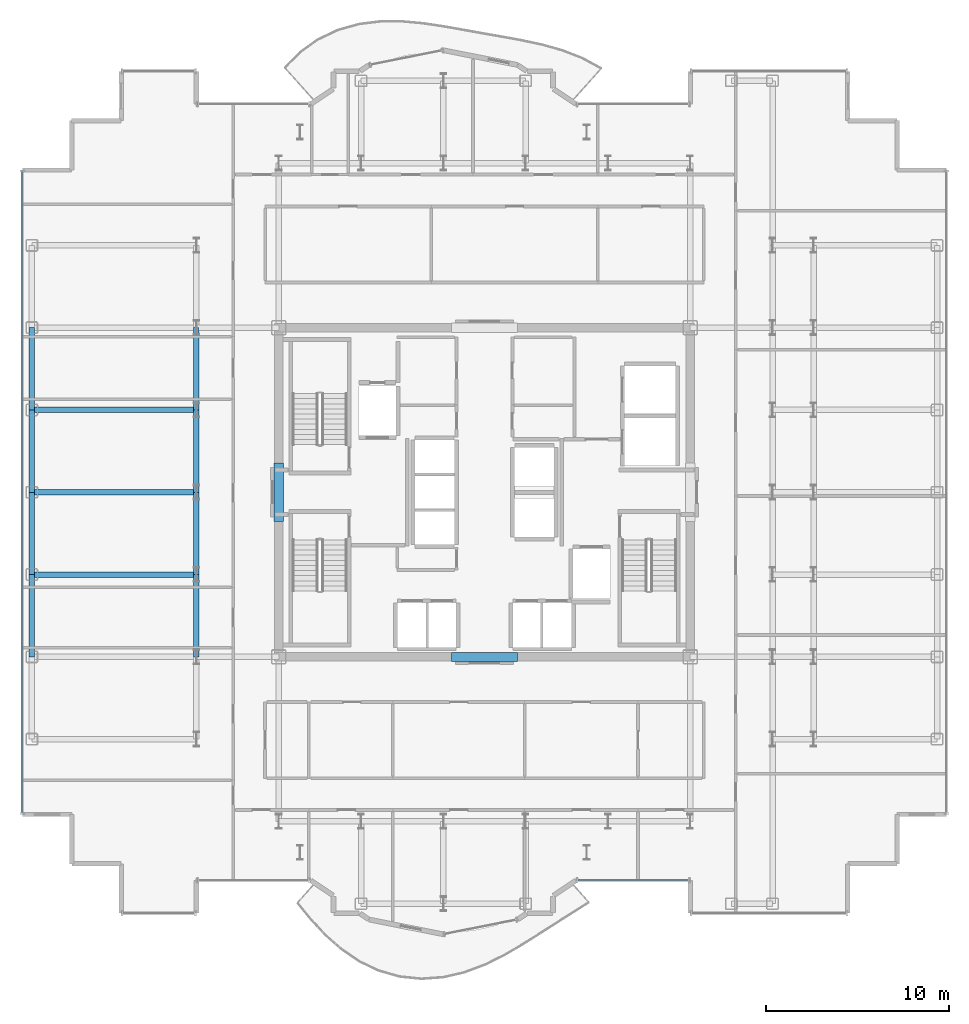
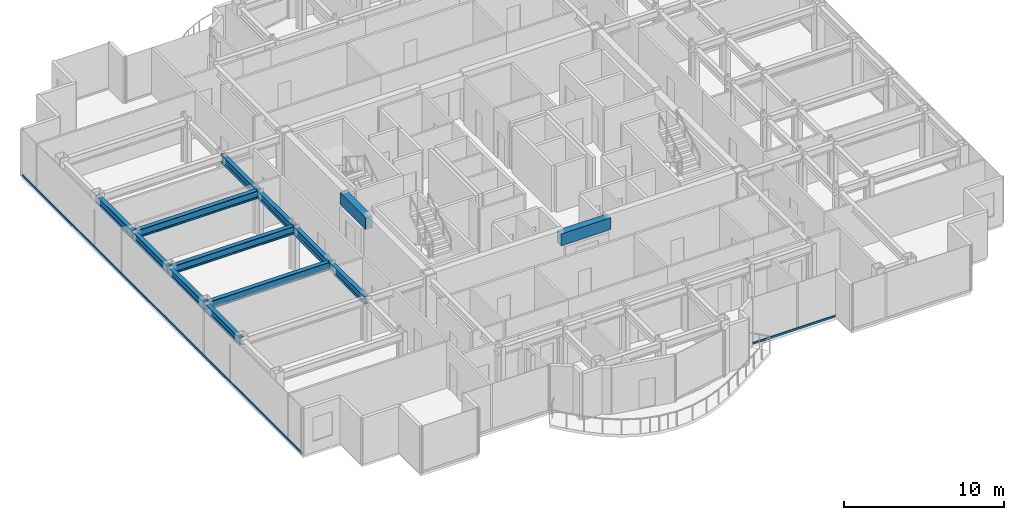
# One storey, part 4 of 21: 13 beams, 2 members, 2 elements without a shape of their own.
"""IFC4 building model written with IfcOpenShell, lengths in metres."""

from ifc_helpers import new_model, si_unit, direction, frame, origin, origin_2d, place, context, subcontext, project, spatial, rectangle, hollow_rectangle, i_section, extrude, source, transform, mapped, material, layer, layer_set, material_profile, profile_set, type_object, element, aggregate, save


model = new_model("IFC4")

# Units and contexts
model_context = context("Model", 3, precision=1e-05, world=origin(), true_north=direction((0.0, 1.0)))
body_context = subcontext(model_context, "Body", "Model", "MODEL_VIEW")
ifc_project = project(units=[si_unit("LENGTHUNIT", "METRE"), si_unit("AREAUNIT", "SQUARE_METRE"), si_unit("VOLUMEUNIT", "CUBIC_METRE"), si_unit("PLANEANGLEUNIT", "RADIAN"), si_unit("MASSUNIT", "GRAM", prefix="KILO")], contexts=[model_context])

# Site, building, storey
site_placement = place(None, origin())
site = spatial("IfcSite", under=ifc_project, at=site_placement, CompositionType="ELEMENT")
building_placement = place(site_placement, origin())
building = spatial("IfcBuilding", under=site, at=building_placement, Name="Nefas-Gora Pilgrimage Tower", CompositionType="ELEMENT")
storey_placement = place(building_placement, frame((0.0, 0.0, 233.199951171875)))
storey = spatial("IfcBuildingStorey", under=building, at=storey_placement, Name="L58", CompositionType="ELEMENT", Elevation=233.199951171875)

# Beams
ifc_material_1 = material(Name="Concrete C50/60", Category="concrete")
ifc_material_profile_1 = material_profile(ifc_material_1, rectangle(XDim=0.5, YDim=0.89990234375, at=origin_2d()), Name="RC 500x900")
ifc_profile_set_1 = profile_set([ifc_material_profile_1], Name="Concrete C50/60")
beam_type_1 = type_object("IfcBeamType", Name="BM-LIN-RC900", PredefinedType="LINTEL", material=ifc_profile_set_1)
shared_shape_1 = source(origin(), body_context, "Body", "SweptSolid", [
    extrude(rectangle(XDim=0.5, YDim=0.89990234375, at=origin_2d()), origin(), (0.0, 0.0, 1.0), 3.60009765625),
])
beam_1_placement = place(storey_placement, frame((-1.800048828125, -9.0, 3.10009765625), z_axis=(1.0, 0.0, 0.0), x_axis=(0.0, 1.0, 0.0)))
element("IfcBeam", 1, at=beam_1_placement, inside=storey, type_object=beam_type_1, Name="L58 Core Coupling Lintel Beam S", PredefinedType="LINTEL", context=body_context, shape_type="MappedRepresentation", body=[
    mapped(shared_shape_1, transform((0.0, 0.0, 0.0), x_axis=(1.0, 0.0, 0.0), y_axis=(0.0, 1.0, 0.0), z_axis=(0.0, 0.0, 1.0), scale=1.0)),
])
shared_shape_2 = source(origin(), body_context, "Body", "SweptSolid", [
    extrude(rectangle(XDim=0.5, YDim=0.89990234375, at=origin_2d()), origin(), (0.0, 0.0, 1.0), 3.2001953125),
])
beam_2_placement = place(storey_placement, frame((-11.25, -1.60009765625, 3.10009765625), z_axis=(0.0, 1.0, 0.0), x_axis=(-1.0, 0.0, 0.0)))
element("IfcBeam", 2, at=beam_2_placement, inside=storey, type_object=beam_type_1, Name="L58 Core Coupling Lintel Beam W", PredefinedType="LINTEL", context=body_context, shape_type="MappedRepresentation", body=[
    mapped(shared_shape_2, transform((0.0, 0.0, 0.0), x_axis=(1.0, 0.0, 0.0), y_axis=(0.0, 1.0, 0.0), z_axis=(0.0, 0.0, 1.0), scale=1.0)),
])
ifc_material_2 = material(Name="Steel S355", Category="steel")
ifc_material_profile_2 = material_profile(ifc_material_2, i_section(OverallWidth=0.300048828125, OverallDepth=0.60009765625, WebThickness=0.015380859375, FlangeThickness=0.030029296875, FilletRadius=0.027099609375, at=origin_2d()), Name="HEB 600")
ifc_profile_set_2 = profile_set([ifc_material_profile_2], Name="Steel S355")
beam_type_2 = type_object("IfcBeamType", Name="BM-SPN-HEB450", PredefinedType="SPANDREL", material=ifc_profile_set_2)
shared_shape_3 = source(origin(), body_context, "Body", "SweptSolid", [
    extrude(i_section(OverallWidth=0.300048828125, OverallDepth=0.60009765625, WebThickness=0.015380859375, FlangeThickness=0.030029296875, FilletRadius=0.027099609375, at=origin_2d()), origin(), (0.0, 0.0, 1.0), 4.5),
])
for number, where, z_axis, x_axis, name in (
    (3, (-24.75, -9.0, 3.25), (0.0, 1.0, 0.0), (-1.0, 0.0, 0.0), "L58 SP-03 beam"),
    (4, (-24.75, -4.5, 3.25), (0.0, 1.0, 0.0), (-1.0, 0.0, 0.0), "L58 SP-03 beam"),
    (5, (-24.75, 0.0, 3.25), (0.0, 1.0, 0.0), (-1.0, 0.0, 0.0), "L58 SP-03 beam"),
    (6, (-24.75, 4.5, 3.25), (0.0, 1.0, 0.0), (-1.0, 0.0, 0.0), "L58 SP-03 beam"),
):
    element("IfcBeam", number, at=place(storey_placement, frame(where, z_axis=z_axis, x_axis=x_axis)), inside=storey, type_object=beam_type_2, Name=name, PredefinedType="SPANDREL", context=body_context, shape_type="MappedRepresentation", body=[
        mapped(shared_shape_3, transform((0.0, 0.0, 0.0), x_axis=(1.0, 0.0, 0.0), y_axis=(0.0, 1.0, 0.0), z_axis=(0.0, 0.0, 1.0), scale=1.0)),
    ])
ifc_material_profile_3 = material_profile(ifc_material_2, i_section(OverallWidth=0.300048828125, OverallDepth=0.60009765625, WebThickness=0.015380859375, FlangeThickness=0.030029296875, FilletRadius=0.027099609375, at=origin_2d()), Name="HEB 600")
ifc_profile_set_3 = profile_set([ifc_material_profile_3], Name="Steel S355")
beam_type_3 = type_object("IfcBeamType", Name="BM-GIR-HEB600", PredefinedType="BEAM", material=ifc_profile_set_3)
shared_shape_4 = source(origin(), body_context, "Body", "SweptSolid", [
    extrude(i_section(OverallWidth=0.300048828125, OverallDepth=0.60009765625, WebThickness=0.015380859375, FlangeThickness=0.030029296875, FilletRadius=0.027099609375, at=origin_2d()), origin(), (0.0, 0.0, 1.0), 9.0),
])
for number, where, z_axis, x_axis, name in (
    (7, (-24.75, -4.5, 3.25), (1.0, 0.0, 0.0), (0.0, 1.0, 0.0), "L58 G-04 beam"),
    (8, (-24.75, 0.0, 3.25), (1.0, 0.0, 0.0), (0.0, 1.0, 0.0), "L58 G-04 beam"),
    (9, (-24.75, 4.5, 3.25), (1.0, 0.0, 0.0), (0.0, 1.0, 0.0), "L58 G-04 beam"),
):
    element("IfcBeam", number, at=place(storey_placement, frame(where, z_axis=z_axis, x_axis=x_axis)), inside=storey, type_object=beam_type_3, Name=name, PredefinedType="BEAM", context=body_context, shape_type="MappedRepresentation", body=[
        mapped(shared_shape_4, transform((0.0, 0.0, 0.0), x_axis=(1.0, 0.0, 0.0), y_axis=(0.0, 1.0, 0.0), z_axis=(0.0, 0.0, 1.0), scale=1.0)),
    ])
shared_shape_5 = source(origin(), body_context, "Body", "SweptSolid", [
    extrude(i_section(OverallWidth=0.300048828125, OverallDepth=0.60009765625, WebThickness=0.015380859375, FlangeThickness=0.030029296875, FilletRadius=0.027099609375, at=origin_2d()), origin(), (0.0, 0.0, 1.0), 4.5),
])
for number, where, z_axis, x_axis, name in (
    (10, (-15.75, -9.0, 3.25), (0.0, 1.0, 0.0), (-1.0, 0.0, 0.0), "L58 G-04 beam"),
    (11, (-15.75, -4.5, 3.25), (0.0, 1.0, 0.0), (-1.0, 0.0, 0.0), "L58 G-04 beam"),
    (12, (-15.75, 0.0, 3.25), (0.0, 1.0, 0.0), (-1.0, 0.0, 0.0), "L58 G-04 beam"),
    (13, (-15.75, 4.5, 3.25), (0.0, 1.0, 0.0), (-1.0, 0.0, 0.0), "L58 G-04 beam"),
):
    element("IfcBeam", number, at=place(storey_placement, frame(where, z_axis=z_axis, x_axis=x_axis)), inside=storey, type_object=beam_type_3, Name=name, PredefinedType="BEAM", context=body_context, shape_type="MappedRepresentation", body=[
        mapped(shared_shape_5, transform((0.0, 0.0, 0.0), x_axis=(1.0, 0.0, 0.0), y_axis=(0.0, 1.0, 0.0), z_axis=(0.0, 0.0, 1.0), scale=1.0)),
    ])

# Curtain wall, member
ifc_material_3 = material(Name="Dark ceramic-fritted solar-control aluminium-glass curtain wall", Category="aluminium")
ifc_layer_1 = layer(ifc_material_3, 0.219970703125)
ifc_layer_set_1 = layer_set([ifc_layer_1], Name="Dark ceramic-fritted solar-control aluminium-glass curtain wall")
curtain_wall_type_1 = type_object("IfcCurtainWallType", Name="CW-SYS-5", PredefinedType="NOTDEFINED", material=ifc_layer_set_1)
curtain_wall_1_placement = place(storey_placement, origin())
curtain_wall_1 = element("IfcCurtainWall", 14, at=curtain_wall_1_placement, inside=storey, type_object=curtain_wall_type_1, Name="L58 Unitised Curtain Wall CW5", PredefinedType="NOTDEFINED")
ifc_material_4 = material(Name="Anodised architectural aluminium", Category="aluminium")
ifc_material_profile_4 = material_profile(ifc_material_4, hollow_rectangle(XDim=0.080078125, YDim=0.159912109375, WallThickness=0.00439453125, InnerFilletRadius=0.00439453125, OuterFilletRadius=0.009033203125, at=origin_2d()), Name="ALU TRANSOM 80x160")
ifc_profile_set_4 = profile_set([ifc_material_profile_4], Name="Anodised architectural aluminium")
member_type_1 = type_object("IfcMemberType", Name="CWM-TRN-5", PredefinedType="USERDEFINED", material=ifc_profile_set_4)
shared_shape_6 = source(origin(), body_context, "Body", "SweptSolid", [
    extrude(hollow_rectangle(XDim=0.080078125, YDim=0.159912109375, WallThickness=0.00439453125, InnerFilletRadius=0.00439453125, OuterFilletRadius=0.009033203125, at=origin_2d()), origin(), (0.0, 0.0, 1.0), 6.052001953125),
])
member_1_placement = place(storey_placement, frame((5.10791015625, -21.219970703125, 0.050048828125), z_axis=(1.0, 0.0, 0.0), x_axis=(0.0, 1.0, 0.0)))
member_1 = element("IfcMember", 15, at=member_1_placement, type_object=member_type_1, Name="CW5 Spandrel Transom", ObjectType="TRANSOM", PredefinedType="USERDEFINED", context=body_context, shape_type="MappedRepresentation", body=[
    mapped(shared_shape_6, transform((0.0, 0.0, 0.0), x_axis=(1.0, 0.0, 0.0), y_axis=(0.0, 1.0, 0.0), z_axis=(0.0, 0.0, 1.0), scale=1.0)),
])
aggregate(curtain_wall_1, [member_1])

ifc_layer_2 = layer(ifc_material_3, 0.219970703125)
ifc_layer_set_2 = layer_set([ifc_layer_2], Name="Dark ceramic-fritted solar-control aluminium-glass curtain wall")
curtain_wall_type_2 = type_object("IfcCurtainWallType", Name="CW-SYS-3", PredefinedType="NOTDEFINED", material=ifc_layer_set_2)
curtain_wall_2_placement = place(storey_placement, origin())
curtain_wall_2 = element("IfcCurtainWall", 16, at=curtain_wall_2_placement, inside=storey, type_object=curtain_wall_type_2, Name="L58 Unitised Curtain Wall CW3", PredefinedType="NOTDEFINED")
ifc_material_profile_5 = material_profile(ifc_material_4, hollow_rectangle(XDim=0.080078125, YDim=0.159912109375, WallThickness=0.00439453125, InnerFilletRadius=0.00439453125, OuterFilletRadius=0.009033203125, at=origin_2d()), Name="ALU TRANSOM 80x160")
ifc_profile_set_5 = profile_set([ifc_material_profile_5], Name="Anodised architectural aluminium")
member_type_2 = type_object("IfcMemberType", Name="CWM-TRN-3", PredefinedType="USERDEFINED", material=ifc_profile_set_5)
shared_shape_7 = source(origin(), body_context, "Body", "SweptSolid", [
    extrude(hollow_rectangle(XDim=0.080078125, YDim=0.159912109375, WallThickness=0.00439453125, InnerFilletRadius=0.00439453125, OuterFilletRadius=0.009033203125, at=origin_2d()), origin(), (0.0, 0.0, 1.0), 35.06005859375),
])
member_2_placement = place(storey_placement, frame((-25.27001953125, 17.530029296875, 0.050048828125), z_axis=(0.0, -1.0, 0.0), x_axis=(1.0, 0.0, 0.0)))
member_2 = element("IfcMember", 17, at=member_2_placement, type_object=member_type_2, Name="CW3 Spandrel Transom", ObjectType="TRANSOM", PredefinedType="USERDEFINED", context=body_context, shape_type="MappedRepresentation", body=[
    mapped(shared_shape_7, transform((0.0, 0.0, 0.0), x_axis=(1.0, 0.0, 0.0), y_axis=(0.0, 1.0, 0.0), z_axis=(0.0, 0.0, 1.0), scale=1.0)),
])
aggregate(curtain_wall_2, [member_2])

save(model, "model.ifc")
